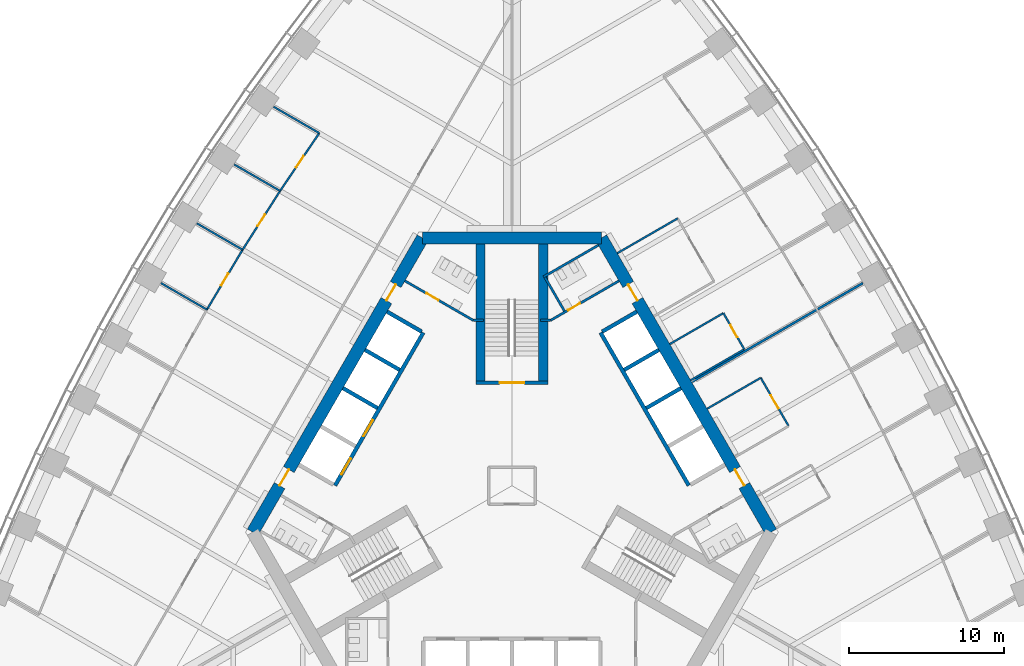
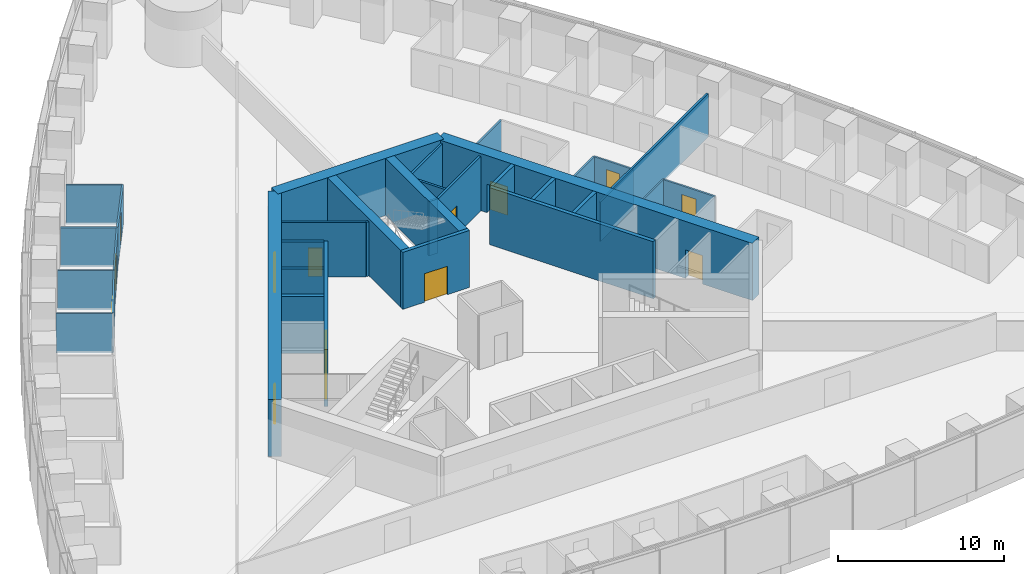
# One storey, part 12 of 18: 34 walls, 14 doors, 14 openings.
"""IFC4 building model written with IfcOpenShell, lengths in metres."""

from ifc_helpers import new_model, si_unit, direction, frame, frame_2d, origin, place, context, subcontext, project, spatial, rectangle, extrude, material, layer, layer_set, type_object, element, fill, save


model = new_model("IFC4")

# Units and contexts
model_context = context("Model", 3, precision=1e-05, world=origin(), true_north=direction((0.0, 1.0)))
body_context = subcontext(model_context, "Body", "Model", "MODEL_VIEW")
ifc_project = project(units=[si_unit("LENGTHUNIT", "METRE"), si_unit("AREAUNIT", "SQUARE_METRE"), si_unit("VOLUMEUNIT", "CUBIC_METRE"), si_unit("PLANEANGLEUNIT", "RADIAN"), si_unit("MASSUNIT", "GRAM", prefix="KILO")], contexts=[model_context])

# Site, building, storey
site_placement = place(None, origin())
site = spatial("IfcSite", under=ifc_project, at=site_placement, CompositionType="ELEMENT")
building_placement = place(site_placement, origin())
building = spatial("IfcBuilding", under=site, at=building_placement, Name="Trefoil Bronze Tower", CompositionType="ELEMENT")
storey_placement = place(building_placement, frame((0.0, 0.0, 54.300048828125)))
storey = spatial("IfcBuildingStorey", under=building, at=storey_placement, Name="L12", CompositionType="ELEMENT", Elevation=54.300048828125)

# Wall, openings, doors
ifc_material_1 = material(Name="Concrete B80", Category="concrete")
ifc_layer_1 = layer(ifc_material_1, 0.800048828125)
ifc_layer_set_1 = layer_set([ifc_layer_1], Name="Core wall 800")
wall_type_1 = type_object("IfcWallType", Name="Core wall 800", PredefinedType="SHEAR", material=ifc_layer_set_1)
wall_1_placement = place(storey_placement, frame((16.7431640625, -3.0, 0.0), z_axis=(0.0, 0.0, 1.0), x_axis=(-0.500002442456, 0.866023993627, 0.0)))
wall_1 = element("IfcWall", 1, at=wall_1_placement, inside=storey, type_object=wall_type_1, Name="Core long wall 2 L12", PredefinedType="SHEAR", context=body_context, shape_type="SweptSolid", body=[
    extrude(rectangle(XDim=21.939453125, YDim=0.800048828125, at=frame_2d((10.9697265625, 0.0))), origin(), (0.0, 0.0, 1.0), 4.199951171875),
])
opening_1_placement = place(wall_1_placement, frame((17.269775390625, 0.0, 0.0)))
opening_1 = element("IfcOpeningElement", 2, at=opening_1_placement, cuts=wall_1, Name="Opening D2", PredefinedType="OPENING", context=body_context, shape_type="SweptSolid", body=[
    extrude(rectangle(XDim=1.199951171875, YDim=2.10009765625, at=frame_2d((0.60009765625, 1.050048828125))), frame((0.0, 0.409912109375, 0.0), z_axis=(0.0, -1.0, 0.0), x_axis=(1.0, 0.0, 0.0)), (0.0, 0.0, 1.0), 0.820068359375),
])
opening_2_placement = place(wall_1_placement, frame((3.4697265625, 0.0, 0.0)))
opening_2 = element("IfcOpeningElement", 3, at=opening_2_placement, cuts=wall_1, Name="Opening D2", PredefinedType="OPENING", context=body_context, shape_type="SweptSolid", body=[
    extrude(rectangle(XDim=1.199951171875, YDim=2.10009765625, at=frame_2d((0.60009765625, 1.050048828125))), frame((0.0, 0.409912109375, 0.0), z_axis=(0.0, -1.0, 0.0), x_axis=(1.0, 0.0, 0.0)), (0.0, 0.0, 1.0), 0.820068359375),
])
ifc_material_2 = material(Name="Steel door", Category="steel")
door_type_1 = type_object("IfcDoorType", Name="Lobby door 1200", OperationType="SINGLE_SWING_RIGHT", PredefinedType="DOOR", material=ifc_material_2)
door_1_placement = place(opening_1_placement, origin())
door_1 = element("IfcDoor", 4, at=door_1_placement, inside=storey, type_object=door_type_1, Name="Lobby door F2+ L12", OperationType="SINGLE_SWING_RIGHT", OverallHeight=2.10009765625, OverallWidth=1.199951171875, PredefinedType="DOOR", context=body_context, shape_type="SweptSolid", body=[
    extrude(rectangle(XDim=1.199951171875, YDim=2.10009765625, at=frame_2d((0.60009765625, 1.050048828125))), frame((0.0, 0.02490234375, 0.0), z_axis=(0.0, -1.0, 0.0), x_axis=(1.0, 0.0, 0.0)), (0.0, 0.0, 1.0), 0.050048828125),
])
fill(opening_1, door_1)
door_2_placement = place(opening_2_placement, origin())
door_2 = element("IfcDoor", 5, at=door_2_placement, inside=storey, type_object=door_type_1, Name="Lobby door F2- L12", OperationType="SINGLE_SWING_LEFT", OverallHeight=2.10009765625, OverallWidth=1.199951171875, PredefinedType="DOOR", context=body_context, shape_type="SweptSolid", body=[
    extrude(rectangle(XDim=1.199951171875, YDim=2.10009765625, at=frame_2d((0.60009765625, 1.050048828125))), frame((0.0, 0.02490234375, 0.0), z_axis=(0.0, -1.0, 0.0), x_axis=(1.0, 0.0, 0.0)), (0.0, 0.0, 1.0), 0.050048828125),
])
fill(opening_2, door_2)

# Wall
wall_2_placement = place(storey_placement, frame((5.7734375, 16.0, 0.0), z_axis=(0.0, 0.0, 1.0), x_axis=(-1.0, 0.0, 0.0)))
element("IfcWall", 6, at=wall_2_placement, inside=storey, type_object=wall_type_1, Name="Core short wall 2 L12", PredefinedType="SHEAR", context=body_context, shape_type="SweptSolid", body=[
    extrude(rectangle(XDim=11.546875, YDim=0.800048828125, at=frame_2d((5.7734375, 0.0))), origin(), (0.0, 0.0, 1.0), 4.199951171875),
])

# Wall, openings, doors
wall_3_placement = place(storey_placement, frame((-5.7734375, 16.0, 0.0), z_axis=(0.0, 0.0, 1.0), x_axis=(-0.500002442456, -0.866023993627, 0.0)))
wall_3 = element("IfcWall", 7, at=wall_3_placement, inside=storey, type_object=wall_type_1, Name="Core long wall 3 L12", PredefinedType="SHEAR", context=body_context, shape_type="SweptSolid", body=[
    extrude(rectangle(XDim=21.939453125, YDim=0.800048828125, at=frame_2d((10.9697265625, 0.0))), origin(), (0.0, 0.0, 1.0), 4.199951171875),
])
opening_3_placement = place(wall_3_placement, frame((17.269775390625, 0.0, 0.0)))
opening_3 = element("IfcOpeningElement", 8, at=opening_3_placement, cuts=wall_3, Name="Opening D2", PredefinedType="OPENING", context=body_context, shape_type="SweptSolid", body=[
    extrude(rectangle(XDim=1.199951171875, YDim=2.10009765625, at=frame_2d((0.60009765625, 1.050048828125))), frame((0.0, 0.409912109375, 0.0), z_axis=(0.0, -1.0, 0.0), x_axis=(1.0, 0.0, 0.0)), (0.0, 0.0, 1.0), 0.820068359375),
])
opening_4_placement = place(wall_3_placement, frame((3.4697265625, 0.0, 0.0)))
opening_4 = element("IfcOpeningElement", 9, at=opening_4_placement, cuts=wall_3, Name="Opening D2", PredefinedType="OPENING", context=body_context, shape_type="SweptSolid", body=[
    extrude(rectangle(XDim=1.199951171875, YDim=2.10009765625, at=frame_2d((0.60009765625, 1.050048828125))), frame((0.0, 0.409912109375, 0.0), z_axis=(0.0, -1.0, 0.0), x_axis=(1.0, 0.0, 0.0)), (0.0, 0.0, 1.0), 0.820068359375),
])
door_3_placement = place(opening_3_placement, origin())
door_3 = element("IfcDoor", 10, at=door_3_placement, inside=storey, type_object=door_type_1, Name="Lobby door F3+ L12", OperationType="SINGLE_SWING_RIGHT", OverallHeight=2.10009765625, OverallWidth=1.199951171875, PredefinedType="DOOR", context=body_context, shape_type="SweptSolid", body=[
    extrude(rectangle(XDim=1.199951171875, YDim=2.10009765625, at=frame_2d((0.60009765625, 1.050048828125))), frame((0.0, 0.02490234375, 0.0), z_axis=(0.0, -1.0, 0.0), x_axis=(1.0, 0.0, 0.0)), (0.0, 0.0, 1.0), 0.050048828125),
])
fill(opening_3, door_3)
door_4_placement = place(opening_4_placement, origin())
door_4 = element("IfcDoor", 11, at=door_4_placement, inside=storey, type_object=door_type_1, Name="Lobby door F3- L12", OperationType="SINGLE_SWING_LEFT", OverallHeight=2.10009765625, OverallWidth=1.199951171875, PredefinedType="DOOR", context=body_context, shape_type="SweptSolid", body=[
    extrude(rectangle(XDim=1.199951171875, YDim=2.10009765625, at=frame_2d((0.60009765625, 1.050048828125))), frame((0.0, 0.02490234375, 0.0), z_axis=(0.0, -1.0, 0.0), x_axis=(1.0, 0.0, 0.0)), (0.0, 0.0, 1.0), 0.050048828125),
])
fill(opening_4, door_4)

# Wall, opening, door
ifc_material_3 = material(Name="Glazed partition", Category="glass")
ifc_layer_2 = layer(ifc_material_3, 0.1201171875)
ifc_layer_set_2 = layer_set([ifc_layer_2], Name="Glazed partition 120")
wall_type_2 = type_object("IfcWallType", Name="Glazed partition 120", PredefinedType="PARTITIONING", material=ifc_layer_set_2)
wall_4_placement = place(storey_placement, frame((15.00634765625, 8.808349609375, 0.0), z_axis=(0.0, 0.0, 1.0), x_axis=(-0.500048589285, 0.86599734893, 0.0)))
wall_4 = element("IfcWall", 12, at=wall_4_placement, inside=storey, type_object=wall_type_2, Name="Partition F2 L12", PredefinedType="PARTITIONING", context=body_context, shape_type="SweptSolid", body=[
    extrude(rectangle(XDim=2.699951171875, YDim=0.1201171875, at=frame_2d((1.35009765625, 0.0))), origin(), (0.0, 0.0, 1.0), 2.89990234375),
])
opening_5_placement = place(wall_4_placement, frame((0.89990234375, 0.0, 0.14990234375)))
opening_5 = element("IfcOpeningElement", 13, at=opening_5_placement, cuts=wall_4, Name="Opening D8", PredefinedType="OPENING", context=body_context, shape_type="SweptSolid", body=[
    extrude(rectangle(XDim=0.89990234375, YDim=2.10009765625, at=frame_2d((0.449951171875, 1.050048828125))), frame((0.0, 0.070068359375, 0.0), z_axis=(0.0, -1.0, 0.0), x_axis=(1.0, 0.0, 0.0)), (0.0, 0.0, 1.0), 0.14013671875),
])
ifc_material_4 = material(Name="Timber door", Category="wood")
door_type_2 = type_object("IfcDoorType", Name="Office door 900", OperationType="SINGLE_SWING_LEFT", PredefinedType="DOOR", material=ifc_material_4)
door_5_placement = place(opening_5_placement, origin())
door_5 = element("IfcDoor", 14, at=door_5_placement, inside=storey, type_object=door_type_2, Name="Pantry door F2 L12", OperationType="SINGLE_SWING_LEFT", OverallHeight=2.10009765625, OverallWidth=0.89990234375, PredefinedType="DOOR", context=body_context, shape_type="SweptSolid", body=[
    extrude(rectangle(XDim=0.89990234375, YDim=2.10009765625, at=frame_2d((0.449951171875, 1.050048828125))), frame((0.0, 0.02490234375, 0.0), z_axis=(0.0, -1.0, 0.0), x_axis=(1.0, 0.0, 0.0)), (0.0, 0.0, 1.0), 0.050048828125),
])
fill(opening_5, door_5)

wall_5_placement = place(storey_placement, frame((17.868896484375, 3.850341796875, 0.0), z_axis=(0.0, 0.0, 1.0), x_axis=(-0.500012057535, 0.866018442252, 0.0)))
wall_5 = element("IfcWall", 15, at=wall_5_placement, inside=storey, type_object=wall_type_2, Name="Partition F2 L12", PredefinedType="PARTITIONING", context=body_context, shape_type="SweptSolid", body=[
    extrude(rectangle(XDim=3.60009765625, YDim=0.1201171875, at=frame_2d((1.800048828125, 0.0))), origin(), (0.0, 0.0, 1.0), 2.89990234375),
])
opening_6_placement = place(wall_5_placement, frame((1.300048828125, 0.0, 0.14990234375)))
opening_6 = element("IfcOpeningElement", 16, at=opening_6_placement, cuts=wall_5, Name="Opening D9", PredefinedType="OPENING", context=body_context, shape_type="SweptSolid", body=[
    extrude(rectangle(XDim=1.0, YDim=2.10009765625, at=frame_2d((0.5, 1.050048828125))), frame((0.0, 0.070068359375, 0.0), z_axis=(0.0, -1.0, 0.0), x_axis=(1.0, 0.0, 0.0)), (0.0, 0.0, 1.0), 0.14013671875),
])
ifc_material_5 = material(Name="Glazed timber door", Category="wood")
door_type_3 = type_object("IfcDoorType", Name="Meeting room door 1000", OperationType="SINGLE_SWING_LEFT", PredefinedType="DOOR", material=ifc_material_5)
door_6_placement = place(opening_6_placement, origin())
door_6 = element("IfcDoor", 17, at=door_6_placement, inside=storey, type_object=door_type_3, Name="Meeting room door F2 L12", OperationType="SINGLE_SWING_RIGHT", OverallHeight=2.10009765625, OverallWidth=1.0, PredefinedType="DOOR", context=body_context, shape_type="SweptSolid", body=[
    extrude(rectangle(XDim=1.0, YDim=2.10009765625, at=frame_2d((0.5, 1.050048828125))), frame((0.0, 0.02490234375, 0.0), z_axis=(0.0, -1.0, 0.0), x_axis=(1.0, 0.0, 0.0)), (0.0, 0.0, 1.0), 0.050048828125),
])
fill(opening_6, door_6)

# Walls
for number, where, z_axis, x_axis, name in (
    (18, (11.542236328125, 6.808349609375, 0.0), (0.0, 0.0, 1.0), (0.866026010844, 0.49999894854, 0.0), "Partition F2 L12"),
    (19, (10.192138671875, 9.146484375, 0.0), (0.0, 0.0, 1.0), (0.866026010844, 0.49999894854, 0.0), "Partition F2 L12"),
):
    element("IfcWall", number, at=place(storey_placement, frame(where, z_axis=z_axis, x_axis=x_axis)), inside=storey, type_object=wall_type_2, Name=name, PredefinedType="PARTITIONING", context=body_context, shape_type="SweptSolid", body=[
        extrude(rectangle(XDim=4.0, YDim=0.1201171875, at=frame_2d((2.0, 0.0))), origin(), (0.0, 0.0, 1.0), 2.89990234375),
    ])
wall_6_placement = place(storey_placement, frame((6.8046875, 15.013916015625, 0.0), z_axis=(0.0, 0.0, 1.0), x_axis=(0.866031096941, 0.499990139034, 0.0)))
element("IfcWall", 20, at=wall_6_placement, inside=storey, type_object=wall_type_2, Name="Partition F2 L12", PredefinedType="PARTITIONING", context=body_context, shape_type="SweptSolid", body=[
    extrude(rectangle(XDim=4.5, YDim=0.1201171875, at=frame_2d((2.25, 0.0))), origin(), (0.0, 0.0, 1.0), 2.89990234375),
])
wall_7_placement = place(storey_placement, frame((12.604736328125, 4.968017578125, 0.0), z_axis=(0.0, 0.0, 1.0), x_axis=(0.866026010844, 0.49999894854, 0.0)))
element("IfcWall", 21, at=wall_7_placement, inside=storey, type_object=wall_type_2, Name="Partition F2 L12", PredefinedType="PARTITIONING", context=body_context, shape_type="SweptSolid", body=[
    extrude(rectangle(XDim=4.0, YDim=0.1201171875, at=frame_2d((2.0, 0.0))), origin(), (0.0, 0.0, 1.0), 2.89990234375),
])

# Wall, opening, door
wall_8_placement = place(storey_placement, frame((-12.441162109375, 22.771240234375, 0.0), z_axis=(0.0, 0.0, 1.0), x_axis=(-0.561512004239, -0.827468591002, 0.0)))
wall_8 = element("IfcWall", 22, at=wall_8_placement, inside=storey, type_object=wall_type_2, Name="Partition F3 L12", PredefinedType="PARTITIONING", context=body_context, shape_type="SweptSolid", body=[
    extrude(rectangle(XDim=4.51171875, YDim=0.1201171875, at=frame_2d((2.255859375, 0.0))), origin(), (0.0, 0.0, 1.0), 2.89990234375),
])
opening_7_placement = place(wall_8_placement, frame((1.800048828125, 0.0, 0.14990234375)))
opening_7 = element("IfcOpeningElement", 23, at=opening_7_placement, cuts=wall_8, Name="Opening D8", PredefinedType="OPENING", context=body_context, shape_type="SweptSolid", body=[
    extrude(rectangle(XDim=0.89990234375, YDim=2.10009765625, at=frame_2d((0.449951171875, 1.050048828125))), frame((0.0, 0.070068359375, 0.0), z_axis=(0.0, -1.0, 0.0), x_axis=(1.0, 0.0, 0.0)), (0.0, 0.0, 1.0), 0.14013671875),
])
door_7_placement = place(opening_7_placement, frame((0.89990234375, 0.0, 0.0), z_axis=(0.0, 0.0, 1.0), x_axis=(-1.0, 0.0, 0.0)))
door_7 = element("IfcDoor", 24, at=door_7_placement, inside=storey, type_object=door_type_2, Name="Office door F3 L12", OperationType="SINGLE_SWING_RIGHT", OverallHeight=2.10009765625, OverallWidth=0.89990234375, PredefinedType="DOOR", context=body_context, shape_type="SweptSolid", body=[
    extrude(rectangle(XDim=0.89990234375, YDim=2.10009765625, at=frame_2d((0.449951171875, 1.050048828125))), frame((0.0, 0.02490234375, 0.0), z_axis=(0.0, -1.0, 0.0), x_axis=(1.0, 0.0, 0.0)), (0.0, 0.0, 1.0), 0.050048828125),
])
fill(opening_7, door_7)

wall_9_placement = place(storey_placement, frame((-17.39453125, 15.23876953125, 0.0), z_axis=(0.0, 0.0, 1.0), x_axis=(-0.512483962191, -0.858696796604, 0.0)))
wall_9 = element("IfcWall", 25, at=wall_9_placement, inside=storey, type_object=wall_type_2, Name="Partition F3 L12", PredefinedType="PARTITIONING", context=body_context, shape_type="SweptSolid", body=[
    extrude(rectangle(XDim=4.50048828125, YDim=0.1201171875, at=frame_2d((2.250244140625, 0.0))), origin(), (0.0, 0.0, 1.0), 2.89990234375),
])
opening_8_placement = place(wall_9_placement, frame((1.800048828125, 0.0, 0.14990234375)))
opening_8 = element("IfcOpeningElement", 26, at=opening_8_placement, cuts=wall_9, Name="Opening D8", PredefinedType="OPENING", context=body_context, shape_type="SweptSolid", body=[
    extrude(rectangle(XDim=0.89990234375, YDim=2.10009765625, at=frame_2d((0.449951171875, 1.050048828125))), frame((0.0, 0.070068359375, 0.0), z_axis=(0.0, -1.0, 0.0), x_axis=(1.0, 0.0, 0.0)), (0.0, 0.0, 1.0), 0.14013671875),
])
door_8_placement = place(opening_8_placement, frame((0.89990234375, 0.0, 0.0), z_axis=(0.0, 0.0, 1.0), x_axis=(-1.0, 0.0, 0.0)))
door_8 = element("IfcDoor", 27, at=door_8_placement, inside=storey, type_object=door_type_2, Name="Office door F3 L12", OperationType="SINGLE_SWING_RIGHT", OverallHeight=2.10009765625, OverallWidth=0.89990234375, PredefinedType="DOOR", context=body_context, shape_type="SweptSolid", body=[
    extrude(rectangle(XDim=0.89990234375, YDim=2.10009765625, at=frame_2d((0.449951171875, 1.050048828125))), frame((0.0, 0.02490234375, 0.0), z_axis=(0.0, -1.0, 0.0), x_axis=(1.0, 0.0, 0.0)), (0.0, 0.0, 1.0), 0.050048828125),
])
fill(opening_8, door_8)

wall_10_placement = place(storey_placement, frame((-14.974609375, 19.037841796875, 0.0), z_axis=(0.0, 0.0, 1.0), x_axis=(-0.537243691336, -0.843427066272, 0.0)))
wall_10 = element("IfcWall", 28, at=wall_10_placement, inside=storey, type_object=wall_type_2, Name="Partition F3 L12", PredefinedType="PARTITIONING", context=body_context, shape_type="SweptSolid", body=[
    extrude(rectangle(XDim=4.50439453125, YDim=0.1201171875, at=frame_2d((2.252197265625, 0.0))), origin(), (0.0, 0.0, 1.0), 2.89990234375),
])
opening_9_placement = place(wall_10_placement, frame((1.800048828125, 0.0, 0.14990234375)))
opening_9 = element("IfcOpeningElement", 29, at=opening_9_placement, cuts=wall_10, Name="Opening D8", PredefinedType="OPENING", context=body_context, shape_type="SweptSolid", body=[
    extrude(rectangle(XDim=0.89990234375, YDim=2.10009765625, at=frame_2d((0.449951171875, 1.050048828125))), frame((0.0, 0.070068359375, 0.0), z_axis=(0.0, -1.0, 0.0), x_axis=(1.0, 0.0, 0.0)), (0.0, 0.0, 1.0), 0.14013671875),
])
door_9_placement = place(opening_9_placement, frame((0.89990234375, 0.0, 0.0), z_axis=(0.0, 0.0, 1.0), x_axis=(-1.0, 0.0, 0.0)))
door_9 = element("IfcDoor", 30, at=door_9_placement, inside=storey, type_object=door_type_2, Name="Office door F3 L12", OperationType="SINGLE_SWING_RIGHT", OverallHeight=2.10009765625, OverallWidth=0.89990234375, PredefinedType="DOOR", context=body_context, shape_type="SweptSolid", body=[
    extrude(rectangle(XDim=0.89990234375, YDim=2.10009765625, at=frame_2d((0.449951171875, 1.050048828125))), frame((0.0, 0.02490234375, 0.0), z_axis=(0.0, -1.0, 0.0), x_axis=(1.0, 0.0, 0.0)), (0.0, 0.0, 1.0), 0.050048828125),
])
fill(opening_9, door_9)

# Walls
wall_11_placement = place(storey_placement, frame((-19.700927734375, 11.374267578125, 0.0), z_axis=(0.0, 0.0, 1.0), x_axis=(-0.866007273829, 0.50003140069, 0.0)))
element("IfcWall", 31, at=wall_11_placement, inside=storey, type_object=wall_type_2, Name="Partition F3 L12", PredefinedType="PARTITIONING", context=body_context, shape_type="SweptSolid", body=[
    extrude(rectangle(XDim=3.420166015625, YDim=0.1201171875, at=frame_2d((1.7099609375, 0.0))), origin(), (0.0, 0.0, 1.0), 2.89990234375),
])
wall_12_placement = place(storey_placement, frame((-12.441162109375, 22.771240234375, 0.0), z_axis=(0.0, 0.0, 1.0), x_axis=(-0.866016478054, 0.500015459501, 0.0)))
element("IfcWall", 32, at=wall_12_placement, inside=storey, type_object=wall_type_2, Name="Partition F3 L12", PredefinedType="PARTITIONING", context=body_context, shape_type="SweptSolid", body=[
    extrude(rectangle(XDim=3.4140625, YDim=0.1201171875, at=frame_2d((1.70703125, 0.0))), origin(), (0.0, 0.0, 1.0), 2.89990234375),
])
wall_13_placement = place(storey_placement, frame((-17.39453125, 15.23876953125, 0.0), z_axis=(0.0, 0.0, 1.0), x_axis=(-0.866015553834, 0.500017060227, 0.0)))
element("IfcWall", 33, at=wall_13_placement, inside=storey, type_object=wall_type_2, Name="Partition F3 L12", PredefinedType="PARTITIONING", context=body_context, shape_type="SweptSolid", body=[
    extrude(rectangle(XDim=3.41943359375, YDim=0.1201171875, at=frame_2d((1.709716796875, 0.0))), origin(), (0.0, 0.0, 1.0), 2.89990234375),
])
wall_14_placement = place(storey_placement, frame((-14.974609375, 19.037841796875, 0.0), z_axis=(0.0, 0.0, 1.0), x_axis=(-0.866014265796, 0.500019291066, 0.0)))
element("IfcWall", 34, at=wall_14_placement, inside=storey, type_object=wall_type_2, Name="Partition F3 L12", PredefinedType="PARTITIONING", context=body_context, shape_type="SweptSolid", body=[
    extrude(rectangle(XDim=3.417236328125, YDim=0.1201171875, at=frame_2d((1.70849609375, 0.0))), origin(), (0.0, 0.0, 1.0), 2.89990234375),
])

# Wall, opening, door
ifc_material_6 = material(Name="Gypsum board on steel studs", Category="steel")
ifc_layer_3 = layer(ifc_material_6, 0.14990234375)
ifc_layer_set_3 = layer_set([ifc_layer_3], Name="Partition 150")
wall_type_3 = type_object("IfcWallType", Name="Partition 150", PredefinedType="PARTITIONING", material=ifc_layer_set_3)
wall_15_placement = place(storey_placement, frame((2.4951171875, 10.67822265625, 0.0), z_axis=(0.0, 0.0, 1.0), x_axis=(0.86602216432, 0.500005610874, 0.0)))
wall_15 = element("IfcWall", 35, at=wall_15_placement, inside=storey, type_object=wall_type_3, Name="Passage wall F2+ L12", PredefinedType="PARTITIONING", context=body_context, shape_type="SweptSolid", body=[
    extrude(rectangle(XDim=5.10009765625, YDim=0.14990234375, at=frame_2d((2.550048828125, 0.0))), origin(), (0.0, 0.0, 1.0), 4.0),
])
opening_10_placement = place(wall_15_placement, frame((1.300048828125, 0.0, 0.0)))
opening_10 = element("IfcOpeningElement", 36, at=opening_10_placement, cuts=wall_15, Name="Opening D3", PredefinedType="OPENING", context=body_context, shape_type="SweptSolid", body=[
    extrude(rectangle(XDim=0.89990234375, YDim=2.10009765625, at=frame_2d((0.449951171875, 1.050048828125))), frame((0.0, 0.0849609375, 0.0), z_axis=(0.0, -1.0, 0.0), x_axis=(1.0, 0.0, 0.0)), (0.0, 0.0, 1.0), 0.169921875),
])
ifc_material_7 = material(Name="Timber door", Category="wood")
door_type_4 = type_object("IfcDoorType", Name="WC door 900", OperationType="SINGLE_SWING_LEFT", PredefinedType="DOOR", material=ifc_material_7)
door_10_placement = place(opening_10_placement, origin())
door_10 = element("IfcDoor", 37, at=door_10_placement, inside=storey, type_object=door_type_4, Name="WC (men) door L12", OperationType="SINGLE_SWING_LEFT", OverallHeight=2.10009765625, OverallWidth=0.89990234375, PredefinedType="DOOR", context=body_context, shape_type="SweptSolid", body=[
    extrude(rectangle(XDim=0.89990234375, YDim=2.10009765625, at=frame_2d((0.449951171875, 1.050048828125))), frame((0.0, 0.02490234375, 0.0), z_axis=(0.0, -1.0, 0.0), x_axis=(1.0, 0.0, 0.0)), (0.0, 0.0, 1.0), 0.050048828125),
])
fill(opening_10, door_10)

wall_16_placement = place(storey_placement, frame((-2.4951171875, 10.67822265625, 0.0), z_axis=(0.0, 0.0, 1.0), x_axis=(-0.86602216432, 0.500005610874, 0.0)))
wall_16 = element("IfcWall", 38, at=wall_16_placement, inside=storey, type_object=wall_type_3, Name="Passage wall F3- L12", PredefinedType="PARTITIONING", context=body_context, shape_type="SweptSolid", body=[
    extrude(rectangle(XDim=5.10009765625, YDim=0.14990234375, at=frame_2d((2.550048828125, 0.0))), origin(), (0.0, 0.0, 1.0), 4.0),
])
opening_11_placement = place(wall_16_placement, frame((2.60009765625, 0.0, 0.0)))
opening_11 = element("IfcOpeningElement", 39, at=opening_11_placement, cuts=wall_16, Name="Opening D3", PredefinedType="OPENING", context=body_context, shape_type="SweptSolid", body=[
    extrude(rectangle(XDim=0.89990234375, YDim=2.10009765625, at=frame_2d((0.449951171875, 1.050048828125))), frame((0.0, 0.0849609375, 0.0), z_axis=(0.0, -1.0, 0.0), x_axis=(1.0, 0.0, 0.0)), (0.0, 0.0, 1.0), 0.169921875),
])
door_11_placement = place(opening_11_placement, frame((0.89990234375, 0.0, 0.0), z_axis=(0.0, 0.0, 1.0), x_axis=(-1.0, 0.0, 0.0)))
door_11 = element("IfcDoor", 40, at=door_11_placement, inside=storey, type_object=door_type_4, Name="WC (women) door L12", OperationType="SINGLE_SWING_LEFT", OverallHeight=2.10009765625, OverallWidth=0.89990234375, PredefinedType="DOOR", context=body_context, shape_type="SweptSolid", body=[
    extrude(rectangle(XDim=0.89990234375, YDim=2.10009765625, at=frame_2d((0.449951171875, 1.050048828125))), frame((0.0, 0.02490234375, 0.0), z_axis=(0.0, -1.0, 0.0), x_axis=(1.0, 0.0, 0.0)), (0.0, 0.0, 1.0), 0.050048828125),
])
fill(opening_11, door_11)

# Walls
for number, where, z_axis, x_axis, name in (
    (41, (2.4951171875, 10.67822265625, 0.0), (0.0, 0.0, 1.0), (-1.0, 0.0, 0.0), "WC wall ST2-1 L12"),
    (42, (-2.4951171875, 10.67822265625, 0.0), (0.0, 0.0, 1.0), (1.0, 0.0, 0.0), "WC wall ST2+1 L12"),
):
    element("IfcWall", number, at=place(storey_placement, frame(where, z_axis=z_axis, x_axis=x_axis)), inside=storey, type_object=wall_type_3, Name=name, PredefinedType="PARTITIONING", context=body_context, shape_type="SweptSolid", body=[
        extrude(rectangle(XDim=0.64501953125, YDim=0.14990234375, at=frame_2d((0.322509765625, 0.0))), origin(), (0.0, 0.0, 1.0), 4.0),
    ])
wall_17_placement = place(storey_placement, frame((2.03125, 13.48193359375, 0.0), z_axis=(0.0, 0.0, 1.0), x_axis=(0.866050731258, 0.499956128963, 0.0)))
element("IfcWall", 43, at=wall_17_placement, inside=storey, type_object=wall_type_3, Name="WC partition WC (men) L12", PredefinedType="PARTITIONING", context=body_context, shape_type="SweptSolid", body=[
    extrude(rectangle(XDim=4.099853515625, YDim=0.14990234375, at=frame_2d((2.0498046875, 0.0))), origin(), (0.0, 0.0, 1.0), 4.0),
])
wall_18_placement = place(storey_placement, frame((3.388671875, 11.28076171875, 0.0), z_axis=(0.0, 0.0, 1.0), x_axis=(-0.499989096993, 0.866031698547, 0.0)))
element("IfcWall", 44, at=wall_18_placement, inside=storey, type_object=wall_type_3, Name="WC partition WC (men) L12", PredefinedType="PARTITIONING", context=body_context, shape_type="SweptSolid", body=[
    extrude(rectangle(XDim=2.509765625, YDim=0.14990234375, at=frame_2d((1.2548828125, 0.0))), origin(), (0.0, 0.0, 1.0), 4.0),
])
ifc_material_8 = material(Name="Gypsum board on steel studs", Category="steel")
ifc_layer_4 = layer(ifc_material_8, 0.14990234375)
ifc_layer_set_4 = layer_set([ifc_layer_4], Name="Party wall 150")
wall_type_4 = type_object("IfcWallType", Name="Party wall 150", PredefinedType="PARTITIONING", material=ifc_layer_set_4)
wall_19_placement = place(storey_placement, frame((11.61328125, 6.705078125, 0.0), z_axis=(0.0, 0.0, 1.0), x_axis=(0.86602785495, 0.499995754432, 0.0)))
element("IfcWall", 45, at=wall_19_placement, inside=storey, type_object=wall_type_4, Name="Demising wall F2 L12", PredefinedType="PARTITIONING", context=body_context, shape_type="SweptSolid", body=[
    extrude(rectangle(XDim=12.7587890625, YDim=0.14990234375, at=frame_2d((6.37939453125, 0.0))), origin(), (0.0, 0.0, 1.0), 3.199951171875),
])
ifc_material_9 = material(Name="Concrete B80", Category="concrete")
ifc_layer_5 = layer(ifc_material_9, 0.25)
ifc_layer_set_5 = layer_set([ifc_layer_5], Name="Shaft wall 250")
wall_type_5 = type_object("IfcWallType", Name="Shaft wall 250", PredefinedType="SHEAR", material=ifc_layer_set_5)
wall_20_placement = place(storey_placement, frame((11.423583984375, 0.013671875, 0.0), z_axis=(0.0, 0.0, 1.0), x_axis=(-0.500001763848, 0.866024385424, 0.0)))
element("IfcWall", 46, at=wall_20_placement, inside=storey, type_object=wall_type_5, Name="Lift shaft front wall B L12", PredefinedType="SHEAR", context=body_context, shape_type="SweptSolid", body=[
    extrude(rectangle(XDim=11.39990234375, YDim=0.25, at=frame_2d((5.699951171875, 0.0))), origin(), (0.0, 0.0, 1.0), 4.199951171875),
])
for number, where, z_axis, x_axis, name in (
    (47, (8.681884765625, 5.012451171875, 0.0), (0.0, 0.0, 1.0), (0.866005588531, 0.500034319456, 0.0), "Lift shaft side wall B2 L12"),
    (48, (7.2568359375, 7.480712890625, 0.0), (0.0, 0.0, 1.0), (0.866046643894, 0.499963209246, 0.0), "Lift shaft side wall B3 L12"),
):
    element("IfcWall", number, at=place(storey_placement, frame(where, z_axis=z_axis, x_axis=x_axis)), inside=storey, type_object=wall_type_5, Name=name, PredefinedType="SHEAR", context=body_context, shape_type="SweptSolid", body=[
        extrude(rectangle(XDim=2.574951171875, YDim=0.25, at=frame_2d((1.28759765625, 0.0))), origin(), (0.0, 0.0, 1.0), 4.199951171875),
    ])
wall_21_placement = place(storey_placement, frame((5.831787109375, 9.94873046875, 0.0), z_axis=(0.0, 0.0, 1.0), x_axis=(0.866029291668, 0.499993265928, 0.0)))
element("IfcWall", 49, at=wall_21_placement, inside=storey, type_object=wall_type_5, Name="Lift shaft side wall B4 L12", PredefinedType="SHEAR", context=body_context, shape_type="SweptSolid", body=[
    extrude(rectangle(XDim=2.5751953125, YDim=0.25, at=frame_2d((1.28759765625, 0.0))), origin(), (0.0, 0.0, 1.0), 4.199951171875),
])

# Wall, openings, doors
wall_22_placement = place(storey_placement, frame((-5.7236328125, 9.88623046875, 0.0), z_axis=(0.0, 0.0, 1.0), x_axis=(-0.500001763848, -0.866024385424, 0.0)))
wall_22 = element("IfcWall", 50, at=wall_22_placement, inside=storey, type_object=wall_type_5, Name="Lift shaft front wall C L12", PredefinedType="SHEAR", context=body_context, shape_type="SweptSolid", body=[
    extrude(rectangle(XDim=11.39990234375, YDim=0.25, at=frame_2d((5.699951171875, 0.0))), origin(), (0.0, 0.0, 1.0), 4.199951171875),
])
opening_12_placement = place(wall_22_placement, frame((6.52490234375, 0.0, 0.0)))
opening_12 = element("IfcOpeningElement", 51, at=opening_12_placement, cuts=wall_22, Name="Opening LD-FL1", PredefinedType="OPENING", context=body_context, shape_type="SweptSolid", body=[
    extrude(rectangle(XDim=1.199951171875, YDim=2.199951171875, at=frame_2d((0.60009765625, 1.10009765625))), frame((0.0, 0.135009765625, 0.0), z_axis=(0.0, -1.0, 0.0), x_axis=(1.0, 0.0, 0.0)), (0.0, 0.0, 1.0), 0.27001953125),
])
opening_13_placement = place(wall_22_placement, frame((9.375, 0.0, 0.0)))
opening_13 = element("IfcOpeningElement", 52, at=opening_13_placement, cuts=wall_22, Name="Opening LD-FL2", PredefinedType="OPENING", context=body_context, shape_type="SweptSolid", body=[
    extrude(rectangle(XDim=1.199951171875, YDim=2.199951171875, at=frame_2d((0.60009765625, 1.10009765625))), frame((0.0, 0.135009765625, 0.0), z_axis=(0.0, -1.0, 0.0), x_axis=(1.0, 0.0, 0.0)), (0.0, 0.0, 1.0), 0.27001953125),
])
ifc_material_10 = material(Name="Steel door", Category="steel")
door_type_5 = type_object("IfcDoorType", Name="Lift landing door 1200", OperationType="DOUBLE_DOOR_SLIDING", PredefinedType="DOOR", material=ifc_material_10)
door_12_placement = place(opening_12_placement, origin())
door_12 = element("IfcDoor", 53, at=door_12_placement, inside=storey, type_object=door_type_5, Name="Lift FL1 landing door L12", OperationType="DOUBLE_DOOR_SLIDING", OverallHeight=2.199951171875, OverallWidth=1.199951171875, PredefinedType="DOOR", context=body_context, shape_type="SweptSolid", body=[
    extrude(rectangle(XDim=1.199951171875, YDim=2.199951171875, at=frame_2d((0.60009765625, 1.10009765625))), frame((0.0, 0.02490234375, 0.0), z_axis=(0.0, -1.0, 0.0), x_axis=(1.0, 0.0, 0.0)), (0.0, 0.0, 1.0), 0.050048828125),
])
fill(opening_12, door_12)
door_13_placement = place(opening_13_placement, origin())
door_13 = element("IfcDoor", 54, at=door_13_placement, inside=storey, type_object=door_type_5, Name="Lift FL2 landing door L12", OperationType="DOUBLE_DOOR_SLIDING", OverallHeight=2.199951171875, OverallWidth=1.199951171875, PredefinedType="DOOR", context=body_context, shape_type="SweptSolid", body=[
    extrude(rectangle(XDim=1.199951171875, YDim=2.199951171875, at=frame_2d((0.60009765625, 1.10009765625))), frame((0.0, 0.02490234375, 0.0), z_axis=(0.0, -1.0, 0.0), x_axis=(1.0, 0.0, 0.0)), (0.0, 0.0, 1.0), 0.050048828125),
])
fill(opening_13, door_13)

# Walls
wall_23_placement = place(storey_placement, frame((-5.831787109375, 9.94873046875, 0.0), z_axis=(0.0, 0.0, 1.0), x_axis=(-0.866029291668, 0.499993265928, 0.0)))
element("IfcWall", 55, at=wall_23_placement, inside=storey, type_object=wall_type_5, Name="Lift shaft side wall C0 L12", PredefinedType="SHEAR", context=body_context, shape_type="SweptSolid", body=[
    extrude(rectangle(XDim=2.5751953125, YDim=0.25, at=frame_2d((1.28759765625, 0.0))), origin(), (0.0, 0.0, 1.0), 4.199951171875),
])
for number, where, z_axis, x_axis, name in (
    (56, (-7.2568359375, 7.480712890625, 0.0), (0.0, 0.0, 1.0), (-0.866046643894, 0.499963209246, 0.0), "Lift shaft side wall C1 L12"),
    (57, (-8.681884765625, 5.012451171875, 0.0), (0.0, 0.0, 1.0), (-0.866005588531, 0.500034319456, 0.0), "Lift shaft side wall C2 L12"),
):
    element("IfcWall", number, at=place(storey_placement, frame(where, z_axis=z_axis, x_axis=x_axis)), inside=storey, type_object=wall_type_5, Name=name, PredefinedType="SHEAR", context=body_context, shape_type="SweptSolid", body=[
        extrude(rectangle(XDim=2.574951171875, YDim=0.25, at=frame_2d((1.28759765625, 0.0))), origin(), (0.0, 0.0, 1.0), 4.199951171875),
    ])

# Wall, opening, door
wall_24_placement = place(storey_placement, frame((2.324951171875, 6.64990234375, 0.0), z_axis=(0.0, 0.0, 1.0), x_axis=(-1.0, 0.0, 0.0)))
wall_24 = element("IfcWall", 58, at=wall_24_placement, inside=storey, type_object=wall_type_5, Name="Stair end wall ST2 L12", PredefinedType="SHEAR", context=body_context, shape_type="SweptSolid", body=[
    extrude(rectangle(XDim=4.64990234375, YDim=0.25, at=frame_2d((2.324951171875, 0.0))), origin(), (0.0, 0.0, 1.0), 4.199951171875),
])
opening_14_placement = place(wall_24_placement, frame((1.52490234375, 0.0, 0.0)))
opening_14 = element("IfcOpeningElement", 59, at=opening_14_placement, cuts=wall_24, Name="Opening D1", PredefinedType="OPENING", context=body_context, shape_type="SweptSolid", body=[
    extrude(rectangle(XDim=1.60009765625, YDim=2.10009765625, at=frame_2d((0.800048828125, 1.050048828125))), frame((0.0, 0.135009765625, 0.0), z_axis=(0.0, -1.0, 0.0), x_axis=(1.0, 0.0, 0.0)), (0.0, 0.0, 1.0), 0.27001953125),
])
ifc_material_11 = material(Name="Steel door", Category="steel")
door_type_6 = type_object("IfcDoorType", Name="Stair door 1600", OperationType="DOUBLE_DOOR_SINGLE_SWING", PredefinedType="DOOR", material=ifc_material_11)
door_14_placement = place(opening_14_placement, frame((1.60009765625, 0.0, 0.0), z_axis=(0.0, 0.0, 1.0), x_axis=(-1.0, 0.0, 0.0)))
door_14 = element("IfcDoor", 60, at=door_14_placement, inside=storey, type_object=door_type_6, Name="Stair door ST2 L12", OperationType="DOUBLE_DOOR_SINGLE_SWING", OverallHeight=2.10009765625, OverallWidth=1.60009765625, PredefinedType="DOOR", context=body_context, shape_type="SweptSolid", body=[
    extrude(rectangle(XDim=1.60009765625, YDim=2.10009765625, at=frame_2d((0.800048828125, 1.050048828125))), frame((0.0, 0.02490234375, 0.0), z_axis=(0.0, -1.0, 0.0), x_axis=(1.0, 0.0, 0.0)), (0.0, 0.0, 1.0), 0.050048828125),
])
fill(opening_14, door_14)

# Walls
ifc_material_12 = material(Name="Concrete B80", Category="concrete")
ifc_layer_6 = layer(ifc_material_12, 0.60009765625)
ifc_layer_set_6 = layer_set([ifc_layer_6], Name="Stair wall 600")
wall_type_6 = type_object("IfcWallType", Name="Stair wall 600", PredefinedType="SHEAR", material=ifc_layer_set_6)
for number, where, z_axis, x_axis, name in (
    (61, (2.02490234375, 6.52490234375, 0.0), (0.0, 0.0, 1.0), (0.0, 1.0, 0.0), "Stair wall ST2 L12"),
    (62, (-2.02490234375, 6.52490234375, 0.0), (0.0, 0.0, 1.0), (0.0, 1.0, 0.0), "Stair wall ST2 L12"),
):
    element("IfcWall", number, at=place(storey_placement, frame(where, z_axis=z_axis, x_axis=x_axis)), inside=storey, type_object=wall_type_6, Name=name, PredefinedType="SHEAR", context=body_context, shape_type="SweptSolid", body=[
        extrude(rectangle(XDim=9.0751953125, YDim=0.60009765625, at=frame_2d((4.53759765625, 0.0))), origin(), (0.0, 0.0, 1.0), 4.199951171875),
    ])

save(model, "model.ifc")
